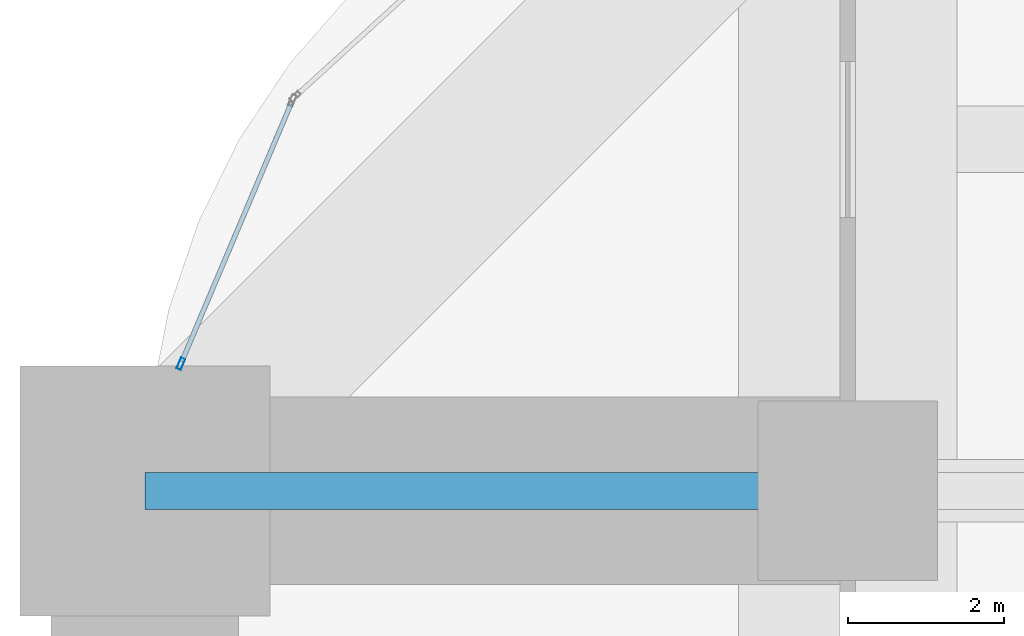
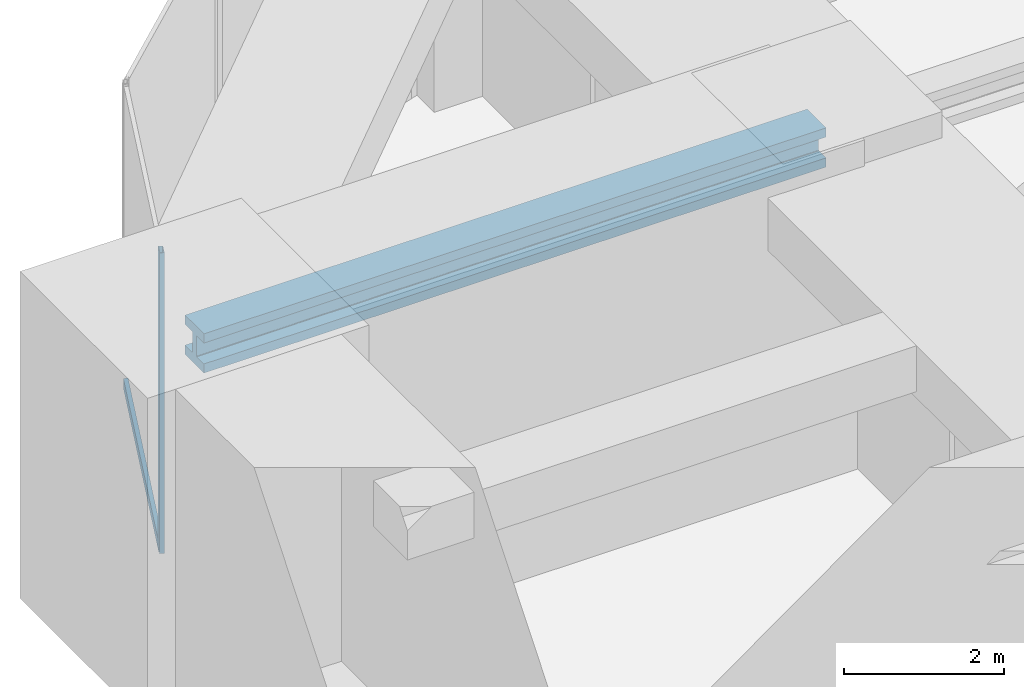
# One storey, part 16 of 32: 2 members, 1 beam, 1 element without a shape of its own.
"""IFC4 building model written with IfcOpenShell, lengths in metres."""

from ifc_helpers import new_model, si_unit, direction, frame, origin, origin_2d, place, context, subcontext, project, spatial, hollow_rectangle, i_section, extrude, material, material_profile, profile_set, type_object, element, aggregate, save


model = new_model("IFC4")

# Units and contexts
model_context = context("Model", 3, precision=1e-05, world=origin(), true_north=direction((0.0, 1.0)))
body_context = subcontext(model_context, "Body", "Model", "MODEL_VIEW")
ifc_project = project(units=[si_unit("LENGTHUNIT", "METRE"), si_unit("AREAUNIT", "SQUARE_METRE"), si_unit("VOLUMEUNIT", "CUBIC_METRE"), si_unit("PLANEANGLEUNIT", "RADIAN"), si_unit("MASSUNIT", "GRAM", prefix="KILO")], contexts=[model_context])

# Site, building, storey
site_placement = place(None, origin())
site = spatial("IfcSite", under=ifc_project, at=site_placement, CompositionType="ELEMENT")
building_placement = place(site_placement, origin())
building = spatial("IfcBuilding", under=site, at=building_placement, Name="Zorevar Civic Tower", CompositionType="ELEMENT")
storey_placement = place(building_placement, frame((0.0, 0.0, 234.39990234375)))
storey = spatial("IfcBuildingStorey", under=building, at=storey_placement, Name="L57", CompositionType="ELEMENT", Elevation=234.39990234375)

# Curtain wall, members
ifc_material_1 = material(Name="Black aluminium louvres", Category="aluminium")
curtain_wall_type = type_object("IfcCurtainWallType", Name="Louvred curtain wall CW6 refuge", PredefinedType="NOTDEFINED", material=ifc_material_1)
curtain_wall_placement = place(storey_placement, origin())
curtain_wall = element("IfcCurtainWall", 1, at=curtain_wall_placement, inside=storey, type_object=curtain_wall_type, Name="CW6 L57", PredefinedType="NOTDEFINED")
ifc_material_2 = material(Name="Aluminium, black anodised", Category="aluminium")
ifc_material_profile_1 = material_profile(ifc_material_2, hollow_rectangle(XDim=0.06005859375, YDim=0.14990234375, WallThickness=0.00390625, at=origin_2d()), Name="AL 150x60x4")
ifc_profile_set_1 = profile_set([ifc_material_profile_1], Name="Aluminium, black anodised")
member_type_1 = type_object("IfcMemberType", Name="CW6 mullion AL 150x60x4", PredefinedType="MULLION", material=ifc_profile_set_1)
member_1_placement = place(storey_placement, frame((0.460205078125, 37.627685546875, 0.0), z_axis=(0.0, 0.0, 1.0), x_axis=(0.920829589054, -0.389965213734, 0.0)))
member_1 = element("IfcMember", 2, at=member_1_placement, type_object=member_type_1, Name="CW6 mullion 2", PredefinedType="MULLION", context=body_context, shape_type="SweptSolid", body=[
    extrude(hollow_rectangle(XDim=0.06005859375, YDim=0.14990234375, WallThickness=0.00390625, at=origin_2d()), origin(), (0.0, 0.0, 1.0), 4.60009765625),
])
ifc_material_3 = material(Name="Aluminium, black anodised", Category="aluminium")
ifc_material_profile_2 = material_profile(ifc_material_3, hollow_rectangle(XDim=0.06005859375, YDim=0.14990234375, WallThickness=0.00390625, at=origin_2d()), Name="AL 150x60x4")
ifc_profile_set_2 = profile_set([ifc_material_profile_2], Name="Aluminium, black anodised")
member_type_2 = type_object("IfcMemberType", Name="CW6 transom AL 150x60x4", PredefinedType="USERDEFINED", material=ifc_profile_set_2)
member_2_placement = place(storey_placement, frame((1.876708984375, 40.972900390625, 0.030029296875), z_axis=(-0.389916302368, -0.920850301161, 0.0), x_axis=(0.920850301161, -0.389916302368, 0.0)))
member_2 = element("IfcMember", 3, at=member_2_placement, type_object=member_type_2, Name="CW6 sill transom", ObjectType="TRANSOM", PredefinedType="USERDEFINED", context=body_context, shape_type="SweptSolid", body=[
    extrude(hollow_rectangle(XDim=0.06005859375, YDim=0.14990234375, WallThickness=0.00390625, at=origin_2d()), origin(), (0.0, 0.0, 1.0), 3.602783203125),
])
aggregate(curtain_wall, [member_1, member_2])

# Beam
ifc_material_4 = material(Name="Steel S460M (HISTAR 460)", Category="steel")
ifc_material_profile_3 = material_profile(ifc_material_4, i_section(OverallWidth=0.47607421875, OverallDepth=0.60009765625, WebThickness=0.10009765625, FlangeThickness=0.139892578125, FilletRadius=0.014892578125, at=origin_2d()), Name="HD 400x1299")
ifc_profile_set_3 = profile_set([ifc_material_profile_3], Name="Steel S460M (HISTAR 460)")
beam_type = type_object("IfcBeamType", Name="Outrigger chord HD 400x1299", PredefinedType="BEAM", material=ifc_profile_set_3)
beam_placement = place(storey_placement, frame((0.0, 36.0, 4.300048828125), z_axis=(1.0, 0.0, 0.0), x_axis=(0.0, 1.0, 0.0)))
element("IfcBeam", 4, at=beam_placement, inside=storey, type_object=beam_type, Name="Outrigger chord L58", PredefinedType="BEAM", context=body_context, shape_type="SweptSolid", body=[
    extrude(i_section(OverallWidth=0.47607421875, OverallDepth=0.60009765625, WebThickness=0.10009765625, FlangeThickness=0.139892578125, FilletRadius=0.014892578125, at=origin_2d()), origin(), (0.0, 0.0, 1.0), 9.0),
])

save(model, "model.ifc")
